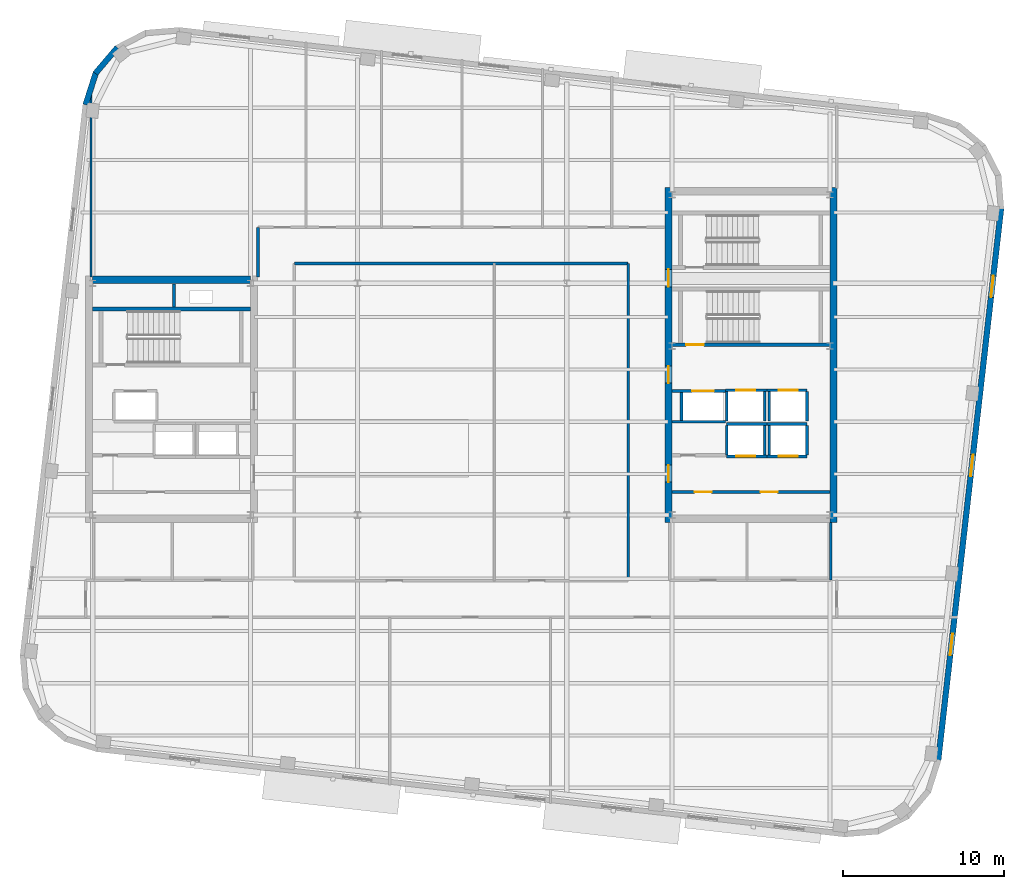
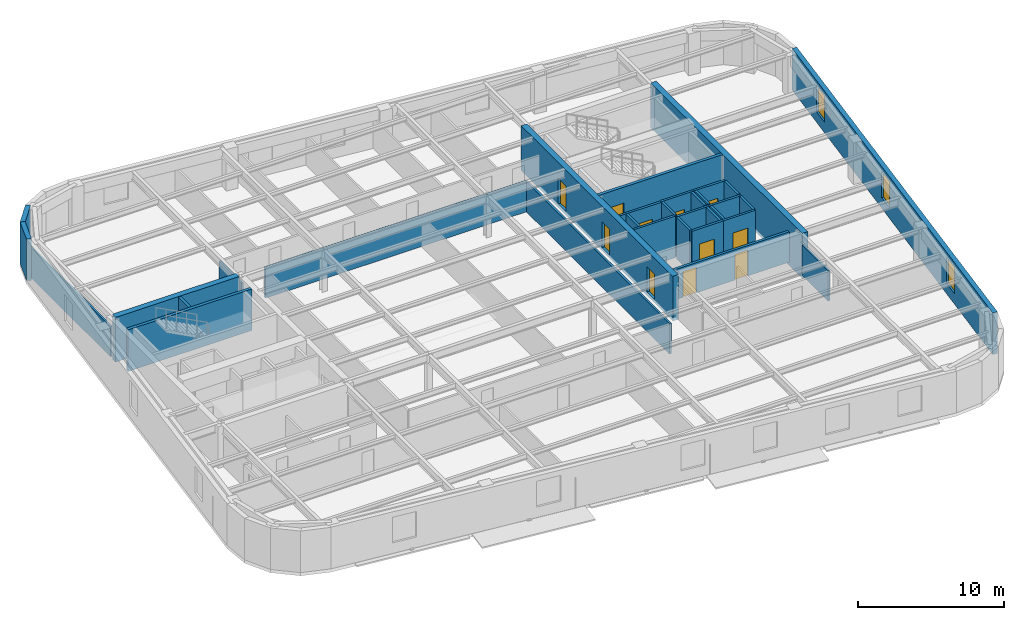
# One storey, part 7 of 13: 32 walls, 11 doors, 3 windows, 14 openings.
"""IFC4 building model written with IfcOpenShell, lengths in metres."""

from ifc_helpers import new_model, si_unit, direction, frame, frame_2d, origin, place, context, subcontext, project, spatial, rectangle, extrude, material, layer, layer_set, type_object, element, fill, save


model = new_model("IFC4")

# Units and contexts
model_context = context("Model", 3, precision=1e-05, world=origin(), true_north=direction((0.0, 1.0)))
body_context = subcontext(model_context, "Body", "Model", "MODEL_VIEW")
ifc_project = project(units=[si_unit("LENGTHUNIT", "METRE"), si_unit("AREAUNIT", "SQUARE_METRE"), si_unit("VOLUMEUNIT", "CUBIC_METRE"), si_unit("PLANEANGLEUNIT", "RADIAN"), si_unit("MASSUNIT", "GRAM", prefix="KILO")], contexts=[model_context])

# Site, building, storey
site_placement = place(None, origin())
site = spatial("IfcSite", under=ifc_project, at=site_placement, CompositionType="ELEMENT")
building_placement = place(site_placement, origin())
building = spatial("IfcBuilding", under=site, at=building_placement, Name="Kolvaren Arena Tower", CompositionType="ELEMENT")
storey_placement = place(building_placement, frame((0.0, 0.0, 239.699951171875)))
storey = spatial("IfcBuildingStorey", under=building, at=storey_placement, Name="L58", CompositionType="ELEMENT", Elevation=239.699951171875)

# Walls
ifc_material_1 = material(Name="Gypsum board acoustic assembly", Category="gypsum")
ifc_layer_1 = layer(ifc_material_1, 0.159912109375)
ifc_layer_set_1 = layer_set([ifc_layer_1], Name="Gypsum board acoustic assembly")
wall_type_1 = type_object("IfcWallType", Name="CORR-160", PredefinedType="PARTITIONING", material=ifc_layer_set_1)
wall_1_placement = place(storey_placement, frame((24.820068359375, 34.25, 0.0), z_axis=(0.0, 0.0, 1.0), x_axis=(0.0, 1.0, 0.0)))
element("IfcWall", 1, at=wall_1_placement, inside=storey, type_object=wall_type_1, Name="Interior Partition Wall (L58)", PredefinedType="PARTITIONING", context=body_context, shape_type="SweptSolid", body=[
    extrude(rectangle(XDim=3.070068359375, YDim=0.159912109375, at=frame_2d((1.53515625, 0.0))), origin(), (0.0, 0.0, 1.0), 2.5400390625),
])
wall_2_placement = place(storey_placement, frame((27.080078125, 35.080078125, 0.0), z_axis=(0.0, 0.0, 1.0), x_axis=(1.0, 0.0, 0.0)))
element("IfcWall", 2, at=wall_2_placement, inside=storey, type_object=wall_type_1, Name="Interior Partition Wall (L58)", PredefinedType="PARTITIONING", context=body_context, shape_type="SweptSolid", body=[
    extrude(rectangle(XDim=20.739990234375, YDim=0.159912109375, at=frame_2d((10.3701171875, 0.0))), origin(), (0.0, 0.0, 1.0), 2.5400390625),
])
wall_3_placement = place(storey_placement, frame((47.820068359375, 15.3798828125, 0.0), z_axis=(0.0, 0.0, 1.0), x_axis=(0.0, 1.0, 0.0)))
element("IfcWall", 3, at=wall_3_placement, inside=storey, type_object=wall_type_1, Name="Interior Partition Wall (L58)", PredefinedType="PARTITIONING", context=body_context, shape_type="SweptSolid", body=[
    extrude(rectangle(XDim=19.7001953125, YDim=0.159912109375, at=frame_2d((9.85009765625, 0.0))), origin(), (0.0, 0.0, 1.0), 2.5400390625),
])
ifc_material_2 = material(Name="Concrete 55 MPa", Category="concrete")
ifc_layer_2 = layer(ifc_material_2, 0.449951171875)
ifc_layer_set_2 = layer_set([ifc_layer_2], Name="Concrete 55 MPa")
wall_type_2 = type_object("IfcWallType", Name="CWALL-450", PredefinedType="SHEAR", material=ifc_layer_set_2)
wall_4_placement = place(storey_placement, frame((14.550048828125, 34.074951171875, -0.27001953125), z_axis=(0.0, 0.0, 1.0), x_axis=(1.0, 0.0, 0.0)))
element("IfcWall", 4, at=wall_4_placement, inside=storey, type_object=wall_type_2, Name="Core Shear Wall WC-NORTH (L58)", PredefinedType="SHEAR", context=body_context, shape_type="SweptSolid", body=[
    extrude(rectangle(XDim=9.800048828125, YDim=0.449951171875, at=frame_2d((4.89990234375, 0.0))), origin(), (0.0, 0.0, 1.0), 3.75),
])

# Wall, openings, doors
wall_5_placement = place(storey_placement, frame((50.324951171875, 19.0, -0.27001953125), z_axis=(0.0, 0.0, 1.0), x_axis=(0.0, 1.0, 0.0)))
wall_5 = element("IfcWall", 5, at=wall_5_placement, inside=storey, type_object=wall_type_2, Name="Core Shear Wall EC-WEST (L58)", PredefinedType="SHEAR", context=body_context, shape_type="SweptSolid", body=[
    extrude(rectangle(XDim=20.800048828125, YDim=0.449951171875, at=frame_2d((10.39990234375, 0.0))), origin(), (0.0, 0.0, 1.0), 3.75),
])
opening_1_placement = place(wall_5_placement, frame((2.5, 0.0, 0.27001953125)))
opening_1 = element("IfcOpeningElement", 6, at=opening_1_placement, cuts=wall_5, Name="Opening D04", PredefinedType="OPENING", context=body_context, shape_type="SweptSolid", body=[
    extrude(rectangle(XDim=1.050048828125, YDim=2.14990234375, at=frame_2d((0.52490234375, 1.074951171875))), frame((0.0, 0.23486328125, 0.0), z_axis=(0.0, -1.0, 0.0), x_axis=(1.0, 0.0, 0.0)), (0.0, 0.0, 1.0), 0.469970703125),
])
opening_2_placement = place(wall_5_placement, frame((8.64990234375, 0.0, 0.27001953125)))
opening_2 = element("IfcOpeningElement", 7, at=opening_2_placement, cuts=wall_5, Name="Opening D04", PredefinedType="OPENING", context=body_context, shape_type="SweptSolid", body=[
    extrude(rectangle(XDim=1.050048828125, YDim=2.14990234375, at=frame_2d((0.52490234375, 1.074951171875))), frame((0.0, 0.23486328125, 0.0), z_axis=(0.0, -1.0, 0.0), x_axis=(1.0, 0.0, 0.0)), (0.0, 0.0, 1.0), 0.469970703125),
])
opening_3_placement = place(wall_5_placement, frame((14.6201171875, 0.0, 0.27001953125)))
opening_3 = element("IfcOpeningElement", 8, at=opening_3_placement, cuts=wall_5, Name="Opening D03", PredefinedType="OPENING", context=body_context, shape_type="SweptSolid", body=[
    extrude(rectangle(XDim=1.10009765625, YDim=2.14990234375, at=frame_2d((0.550048828125, 1.074951171875))), frame((0.0, 0.23486328125, 0.0), z_axis=(0.0, -1.0, 0.0), x_axis=(1.0, 0.0, 0.0)), (0.0, 0.0, 1.0), 0.469970703125),
])
ifc_material_3 = material(Name="Fire-rated steel lobby door", Category="steel")
door_type_1 = type_object("IfcDoorType", Name="DOOR-FF-105", OperationType="NOTDEFINED", PredefinedType="DOOR", material=ifc_material_3)
door_1_placement = place(opening_1_placement, origin())
door_1 = element("IfcDoor", 9, at=door_1_placement, inside=storey, type_object=door_type_1, Name="East Lift Lobby Fire Door (L58)", OperationType="SINGLE_SWING_RIGHT", OverallHeight=2.14990234375, OverallWidth=1.050048828125, PredefinedType="DOOR", context=body_context, shape_type="SweptSolid", body=[
    extrude(rectangle(XDim=1.050048828125, YDim=2.14990234375, at=frame_2d((0.52490234375, 1.074951171875))), frame((0.0, 0.02490234375, 0.0), z_axis=(0.0, -1.0, 0.0), x_axis=(1.0, 0.0, 0.0)), (0.0, 0.0, 1.0), 0.050048828125),
])
fill(opening_1, door_1)
door_2_placement = place(opening_2_placement, origin())
door_2 = element("IfcDoor", 10, at=door_2_placement, inside=storey, type_object=door_type_1, Name="East Firefighter Vestibule Door (L58)", OperationType="SINGLE_SWING_LEFT", OverallHeight=2.14990234375, OverallWidth=1.050048828125, PredefinedType="DOOR", context=body_context, shape_type="SweptSolid", body=[
    extrude(rectangle(XDim=1.050048828125, YDim=2.14990234375, at=frame_2d((0.52490234375, 1.074951171875))), frame((0.0, 0.02490234375, 0.0), z_axis=(0.0, -1.0, 0.0), x_axis=(1.0, 0.0, 0.0)), (0.0, 0.0, 1.0), 0.050048828125),
])
fill(opening_2, door_2)
ifc_material_4 = material(Name="Fire-rated steel exit stair door", Category="steel")
door_type_2 = type_object("IfcDoorType", Name="DOOR-ST-110", OperationType="NOTDEFINED", PredefinedType="DOOR", material=ifc_material_4)
door_3_placement = place(opening_3_placement, origin())
door_3 = element("IfcDoor", 11, at=door_3_placement, inside=storey, type_object=door_type_2, Name="Stair ST-E2 Vestibule Fire Door (L58)", OperationType="SINGLE_SWING_LEFT", OverallHeight=2.14990234375, OverallWidth=1.10009765625, PredefinedType="DOOR", context=body_context, shape_type="SweptSolid", body=[
    extrude(rectangle(XDim=1.10009765625, YDim=2.14990234375, at=frame_2d((0.550048828125, 1.074951171875))), frame((0.0, 0.02490234375, 0.0), z_axis=(0.0, -1.0, 0.0), x_axis=(1.0, 0.0, 0.0)), (0.0, 0.0, 1.0), 0.050048828125),
])
fill(opening_3, door_3)

# Wall
wall_6_placement = place(storey_placement, frame((60.574951171875, 19.0, -0.27001953125), z_axis=(0.0, 0.0, 1.0), x_axis=(0.0, 1.0, 0.0)))
element("IfcWall", 12, at=wall_6_placement, inside=storey, type_object=wall_type_2, Name="Core Shear Wall EC-EAST (L58)", PredefinedType="SHEAR", context=body_context, shape_type="SweptSolid", body=[
    extrude(rectangle(XDim=20.800048828125, YDim=0.449951171875, at=frame_2d((10.39990234375, 0.0))), origin(), (0.0, 0.0, 1.0), 3.75),
])

# Wall, openings, windows
ifc_material_5 = material(Name="Precast concrete C50/60", Category="concrete")
ifc_layer_3 = layer(ifc_material_5, 0.360107421875)
ifc_layer_set_3 = layer_set([ifc_layer_3], Name="Precast concrete C50/60")
wall_type_3 = type_object("IfcWallType", Name="EXT-PIER2", PredefinedType="SOLIDWALL", material=ifc_layer_set_3)
wall_7_placement = place(storey_placement, frame((70.98876953125, 38.499267578125, 0.0), z_axis=(0.0, 0.0, 1.0), x_axis=(-0.113203107947, -0.993571867733, 0.0)))
wall_7 = element("IfcWall", 13, at=wall_7_placement, inside=storey, type_object=wall_type_3, Name="Exterior Precast Masonry-Frame Wall (L58)", PredefinedType="SOLIDWALL", context=body_context, shape_type="SweptSolid", body=[
    extrude(rectangle(XDim=34.5, YDim=0.360107421875, at=frame_2d((17.25, 0.0))), origin(), (0.0, 0.0, 1.0), 3.47998046875),
])
opening_4_placement = place(wall_7_placement, frame((4.199951171875, 0.0, 0.8798828125)))
opening_4 = element("IfcOpeningElement", 14, at=opening_4_placement, cuts=wall_7, Name="Opening W04", PredefinedType="OPENING", context=body_context, shape_type="SweptSolid", body=[
    extrude(rectangle(XDim=1.35009765625, YDim=2.199951171875, at=frame_2d((0.675048828125, 1.10009765625))), frame((0.0, 0.18994140625, 0.0), z_axis=(0.0, -1.0, 0.0), x_axis=(1.0, 0.0, 0.0)), (0.0, 0.0, 1.0), 0.380126953125),
])
opening_5_placement = place(wall_7_placement, frame((15.39990234375, 0.0, 0.8798828125)))
opening_5 = element("IfcOpeningElement", 15, at=opening_5_placement, cuts=wall_7, Name="Opening W04", PredefinedType="OPENING", context=body_context, shape_type="SweptSolid", body=[
    extrude(rectangle(XDim=1.35009765625, YDim=2.199951171875, at=frame_2d((0.675048828125, 1.10009765625))), frame((0.0, 0.18994140625, 0.0), z_axis=(0.0, -1.0, 0.0), x_axis=(1.0, 0.0, 0.0)), (0.0, 0.0, 1.0), 0.380126953125),
])
opening_6_placement = place(wall_7_placement, frame((26.60009765625, 0.0, 0.8798828125)))
opening_6 = element("IfcOpeningElement", 16, at=opening_6_placement, cuts=wall_7, Name="Opening W04", PredefinedType="OPENING", context=body_context, shape_type="SweptSolid", body=[
    extrude(rectangle(XDim=1.35009765625, YDim=2.199951171875, at=frame_2d((0.675048828125, 1.10009765625))), frame((0.0, 0.18994140625, 0.0), z_axis=(0.0, -1.0, 0.0), x_axis=(1.0, 0.0, 0.0)), (0.0, 0.0, 1.0), 0.380126953125),
])
ifc_material_6 = material(Name="Triple-glazed curved-facet corner window", Category="glass")
window_type = type_object("IfcWindowType", Name="WIN-CRN-A", PartitioningType="SINGLE_PANEL", PredefinedType="WINDOW", material=ifc_material_6)
window_1_placement = place(opening_4_placement, origin())
window_1 = element("IfcWindow", 17, at=window_1_placement, inside=storey, type_object=window_type, Name="End-Wall Punched Window (L58)", OverallHeight=2.199951171875, OverallWidth=1.35009765625, PartitioningType="SINGLE_PANEL", PredefinedType="WINDOW", context=body_context, shape_type="SweptSolid", body=[
    extrude(rectangle(XDim=1.35009765625, YDim=2.199951171875, at=frame_2d((0.675048828125, 1.10009765625))), frame((0.0, 0.030029296875, 0.0), z_axis=(0.0, -1.0, 0.0), x_axis=(1.0, 0.0, 0.0)), (0.0, 0.0, 1.0), 0.06005859375),
])
fill(opening_4, window_1)
window_2_placement = place(opening_5_placement, origin())
window_2 = element("IfcWindow", 18, at=window_2_placement, inside=storey, type_object=window_type, Name="End-Wall Punched Window (L58)", OverallHeight=2.199951171875, OverallWidth=1.35009765625, PartitioningType="SINGLE_PANEL", PredefinedType="WINDOW", context=body_context, shape_type="SweptSolid", body=[
    extrude(rectangle(XDim=1.35009765625, YDim=2.199951171875, at=frame_2d((0.675048828125, 1.10009765625))), frame((0.0, 0.030029296875, 0.0), z_axis=(0.0, -1.0, 0.0), x_axis=(1.0, 0.0, 0.0)), (0.0, 0.0, 1.0), 0.06005859375),
])
fill(opening_5, window_2)
window_3_placement = place(opening_6_placement, origin())
window_3 = element("IfcWindow", 19, at=window_3_placement, inside=storey, type_object=window_type, Name="End-Wall Punched Window (L58)", OverallHeight=2.199951171875, OverallWidth=1.35009765625, PartitioningType="SINGLE_PANEL", PredefinedType="WINDOW", context=body_context, shape_type="SweptSolid", body=[
    extrude(rectangle(XDim=1.35009765625, YDim=2.199951171875, at=frame_2d((0.675048828125, 1.10009765625))), frame((0.0, 0.030029296875, 0.0), z_axis=(0.0, -1.0, 0.0), x_axis=(1.0, 0.0, 0.0)), (0.0, 0.0, 1.0), 0.06005859375),
])
fill(opening_6, window_3)

# Walls
wall_8_placement = place(storey_placement, frame((14.717529296875, 46.8896484375, 0.0), z_axis=(0.0, 0.0, 1.0), x_axis=(0.646170743289, 0.763192878975, 0.0)))
element("IfcWall", 20, at=wall_8_placement, inside=storey, type_object=wall_type_3, Name="Exterior Precast Masonry-Frame Wall (L58)", PredefinedType="SOLIDWALL", context=body_context, shape_type="SweptSolid", body=[
    extrude(rectangle(XDim=2.107177734375, YDim=0.360107421875, at=frame_2d((1.0537109375, 0.0))), origin(), (0.0, 0.0, 1.0), 3.47998046875),
])
wall_9_placement = place(storey_placement, frame((14.109375, 44.944580078125, 0.0), z_axis=(0.0, 0.0, 1.0), x_axis=(0.304872429864, 0.952393196904, 0.0)))
element("IfcWall", 21, at=wall_9_placement, inside=storey, type_object=wall_type_3, Name="Exterior Precast Masonry-Frame Wall (L58)", PredefinedType="SOLIDWALL", context=body_context, shape_type="SweptSolid", body=[
    extrude(rectangle(XDim=2.10693359375, YDim=0.360107421875, at=frame_2d((1.053466796875, 0.0))), origin(), (0.0, 0.0, 1.0), 3.47998046875),
])

# Wall, openings, doors
ifc_material_7 = material(Name="Concrete 40 MPa", Category="concrete")
ifc_layer_4 = layer(ifc_material_7, 0.199951171875)
ifc_layer_set_4 = layer_set([ifc_layer_4], Name="Concrete 40 MPa")
wall_type_4 = type_object("IfcWallType", Name="LOBBY-200", PredefinedType="SOLIDWALL", material=ifc_layer_set_4)
wall_10_placement = place(storey_placement, frame((50.550048828125, 20.8798828125, 0.0), z_axis=(0.0, 0.0, 1.0), x_axis=(1.0, 0.0, 0.0)))
wall_10 = element("IfcWall", 22, at=wall_10_placement, inside=storey, type_object=wall_type_4, Name="Core Shaft Wall (L58)", PredefinedType="SOLIDWALL", context=body_context, shape_type="SweptSolid", body=[
    extrude(rectangle(XDim=9.800048828125, YDim=0.199951171875, at=frame_2d((4.89990234375, 0.0))), origin(), (0.0, 0.0, 1.0), 2.5400390625),
])
opening_7_placement = place(wall_10_placement, frame((1.39990234375, 0.0, 0.0)))
opening_7 = element("IfcOpeningElement", 23, at=opening_7_placement, cuts=wall_10, Name="Opening D04", PredefinedType="OPENING", context=body_context, shape_type="SweptSolid", body=[
    extrude(rectangle(XDim=1.050048828125, YDim=2.14990234375, at=frame_2d((0.52490234375, 1.074951171875))), frame((0.0, 0.10986328125, 0.0), z_axis=(0.0, -1.0, 0.0), x_axis=(1.0, 0.0, 0.0)), (0.0, 0.0, 1.0), 0.219970703125),
])
opening_8_placement = place(wall_10_placement, frame((5.5, 0.0, 0.0)))
opening_8 = element("IfcOpeningElement", 24, at=opening_8_placement, cuts=wall_10, Name="Opening D04", PredefinedType="OPENING", context=body_context, shape_type="SweptSolid", body=[
    extrude(rectangle(XDim=1.050048828125, YDim=2.14990234375, at=frame_2d((0.52490234375, 1.074951171875))), frame((0.0, 0.10986328125, 0.0), z_axis=(0.0, -1.0, 0.0), x_axis=(1.0, 0.0, 0.0)), (0.0, 0.0, 1.0), 0.219970703125),
])
door_4_placement = place(opening_7_placement, origin())
door_4 = element("IfcDoor", 25, at=door_4_placement, inside=storey, type_object=door_type_1, Name="East Telecom Room Fire Door (L58)", OperationType="SINGLE_SWING_RIGHT", OverallHeight=2.14990234375, OverallWidth=1.050048828125, PredefinedType="DOOR", context=body_context, shape_type="SweptSolid", body=[
    extrude(rectangle(XDim=1.050048828125, YDim=2.14990234375, at=frame_2d((0.52490234375, 1.074951171875))), frame((0.0, 0.02490234375, 0.0), z_axis=(0.0, -1.0, 0.0), x_axis=(1.0, 0.0, 0.0)), (0.0, 0.0, 1.0), 0.050048828125),
])
fill(opening_7, door_4)
door_5_placement = place(opening_8_placement, origin())
door_5 = element("IfcDoor", 26, at=door_5_placement, inside=storey, type_object=door_type_1, Name="East Records Room Fire Door (L58)", OperationType="SINGLE_SWING_LEFT", OverallHeight=2.14990234375, OverallWidth=1.050048828125, PredefinedType="DOOR", context=body_context, shape_type="SweptSolid", body=[
    extrude(rectangle(XDim=1.050048828125, YDim=2.14990234375, at=frame_2d((0.52490234375, 1.074951171875))), frame((0.0, 0.02490234375, 0.0), z_axis=(0.0, -1.0, 0.0), x_axis=(1.0, 0.0, 0.0)), (0.0, 0.0, 1.0), 0.050048828125),
])
fill(opening_8, door_5)

# Walls
ifc_material_8 = material(Name="Gypsum board partition assembly", Category="gypsum")
ifc_layer_5 = layer(ifc_material_8, 0.135009765625)
ifc_layer_set_5 = layer_set([ifc_layer_5], Name="Gypsum board partition assembly")
wall_type_5 = type_object("IfcWallType", Name="PART-135", PredefinedType="PARTITIONING", material=ifc_layer_set_5)
wall_11_placement = place(storey_placement, frame((14.449951171875, 34.25, 0.0), z_axis=(0.0, 0.0, 1.0), x_axis=(0.0, 1.0, 0.0)))
element("IfcWall", 27, at=wall_11_placement, inside=storey, type_object=wall_type_5, Name="Interior Partition Wall (L58)", PredefinedType="PARTITIONING", context=body_context, shape_type="SweptSolid", body=[
    extrude(rectangle(XDim=11.56201171875, YDim=0.135009765625, at=frame_2d((5.781005859375, 0.0))), origin(), (0.0, 0.0, 1.0), 2.5400390625),
])
ifc_material_9 = material(Name="Concrete 45 MPa", Category="concrete")
ifc_layer_6 = layer(ifc_material_9, 0.25)
ifc_layer_set_6 = layer_set([ifc_layer_6], Name="Concrete 45 MPa")
wall_type_6 = type_object("IfcWallType", Name="SHAFT-250", PredefinedType="SOLIDWALL", material=ifc_layer_set_6)
wall_12_placement = place(storey_placement, frame((14.550048828125, 32.25, 0.0), z_axis=(0.0, 0.0, 1.0), x_axis=(1.0, 0.0, 0.0)))
element("IfcWall", 28, at=wall_12_placement, inside=storey, type_object=wall_type_6, Name="Core Shaft Wall (L58)", PredefinedType="SOLIDWALL", context=body_context, shape_type="SweptSolid", body=[
    extrude(rectangle(XDim=9.800048828125, YDim=0.239990234375, at=frame_2d((4.89990234375, 0.0))), origin(), (0.0, 0.0, 1.0), 3.47998046875),
])

# Wall, opening, door
wall_13_placement = place(storey_placement, frame((60.35009765625, 30.030029296875, 0.0), z_axis=(0.0, 0.0, 1.0), x_axis=(-1.0, 0.0, 0.0)))
wall_13 = element("IfcWall", 29, at=wall_13_placement, inside=storey, type_object=wall_type_6, Name="Core Shaft Wall (L58)", PredefinedType="SOLIDWALL", context=body_context, shape_type="SweptSolid", body=[
    extrude(rectangle(XDim=9.800048828125, YDim=0.239990234375, at=frame_2d((4.89990234375, 0.0))), origin(), (0.0, 0.0, 1.0), 3.47998046875),
])
opening_9_placement = place(wall_13_placement, frame((7.830078125, 0.0, 0.0)))
opening_9 = element("IfcOpeningElement", 30, at=opening_9_placement, cuts=wall_13, Name="Opening D03", PredefinedType="OPENING", context=body_context, shape_type="SweptSolid", body=[
    extrude(rectangle(XDim=1.10009765625, YDim=2.14990234375, at=frame_2d((0.550048828125, 1.074951171875))), frame((0.0, 0.1298828125, 0.0), z_axis=(0.0, -1.0, 0.0), x_axis=(1.0, 0.0, 0.0)), (0.0, 0.0, 1.0), 0.260009765625),
])
door_6_placement = place(opening_9_placement, origin())
door_6 = element("IfcDoor", 31, at=door_6_placement, inside=storey, type_object=door_type_2, Name="Stair ST-E1 Fire Door (L58)", OperationType="SINGLE_SWING_LEFT", OverallHeight=2.14990234375, OverallWidth=1.10009765625, PredefinedType="DOOR", context=body_context, shape_type="SweptSolid", body=[
    extrude(rectangle(XDim=1.10009765625, YDim=2.14990234375, at=frame_2d((0.550048828125, 1.074951171875))), frame((0.0, 0.02490234375, 0.0), z_axis=(0.0, -1.0, 0.0), x_axis=(1.0, 0.0, 0.0)), (0.0, 0.0, 1.0), 0.050048828125),
])
fill(opening_9, door_6)

# Walls
wall_14_placement = place(storey_placement, frame((19.60009765625, 32.3701171875, 0.0), z_axis=(0.0, 0.0, 1.0), x_axis=(0.0, 1.0, 0.0)))
element("IfcWall", 32, at=wall_14_placement, inside=storey, type_object=wall_type_6, Name="Core Shaft Wall (L58)", PredefinedType="SOLIDWALL", context=body_context, shape_type="SweptSolid", body=[
    extrude(rectangle(XDim=1.429931640625, YDim=0.199951171875, at=frame_2d((0.71484375, 0.0))), origin(), (0.0, 0.0, 1.0), 3.47998046875),
])
wall_15_placement = place(storey_placement, frame((53.93994140625, 25.10498046875, 0.0), z_axis=(0.0, 0.0, 1.0), x_axis=(1.0, 0.0, 0.0)))
element("IfcWall", 33, at=wall_15_placement, inside=storey, type_object=wall_type_6, Name="Core Shaft Wall (L58)", PredefinedType="SOLIDWALL", context=body_context, shape_type="SweptSolid", body=[
    extrude(rectangle(XDim=2.5, YDim=0.179931640625, at=frame_2d((1.25, 0.0))), origin(), (0.0, 0.0, 1.0), 3.47998046875),
])

# Wall, opening, door
wall_16_placement = place(storey_placement, frame((53.93994140625, 23.094970703125, 0.0), z_axis=(0.0, 0.0, 1.0), x_axis=(1.0, 0.0, 0.0)))
wall_16 = element("IfcWall", 34, at=wall_16_placement, inside=storey, type_object=wall_type_6, Name="Core Shaft Wall (L58)", PredefinedType="SOLIDWALL", context=body_context, shape_type="SweptSolid", body=[
    extrude(rectangle(XDim=2.5, YDim=0.179931640625, at=frame_2d((1.25, 0.0))), origin(), (0.0, 0.0, 1.0), 3.47998046875),
])
opening_10_placement = place(wall_16_placement, frame((0.580078125, 0.0, 0.0)))
opening_10 = element("IfcOpeningElement", 35, at=opening_10_placement, cuts=wall_16, Name="Opening LD1", PredefinedType="OPENING", context=body_context, shape_type="SweptSolid", body=[
    extrude(rectangle(XDim=1.199951171875, YDim=2.199951171875, at=frame_2d((0.60009765625, 1.10009765625))), frame((0.0, 0.099853515625, 0.0), z_axis=(0.0, -1.0, 0.0), x_axis=(1.0, 0.0, 0.0)), (0.0, 0.0, 1.0), 0.199951171875),
])
ifc_material_10 = material(Name="Stainless steel passenger lift landing door", Category="steel")
door_type_3 = type_object("IfcDoorType", Name="DOOR-LD-120", OperationType="DOUBLE_DOOR_SLIDING", PredefinedType="DOOR", material=ifc_material_10)
door_7_placement = place(opening_10_placement, origin())
door_7 = element("IfcDoor", 36, at=door_7_placement, inside=storey, type_object=door_type_3, Name="Lift EL-HR1 Landing Door (L58)", OperationType="DOUBLE_DOOR_SLIDING", OverallHeight=2.199951171875, OverallWidth=1.199951171875, PredefinedType="DOOR", context=body_context, shape_type="SweptSolid", body=[
    extrude(rectangle(XDim=1.199951171875, YDim=2.199951171875, at=frame_2d((0.60009765625, 1.10009765625))), frame((0.0, 0.02490234375, 0.0), z_axis=(0.0, -1.0, 0.0), x_axis=(1.0, 0.0, 0.0)), (0.0, 0.0, 1.0), 0.050048828125),
])
fill(opening_10, door_7)

# Walls
for number, where, z_axis, x_axis, name in (
    (37, (53.93994140625, 23.18505859375, 0.0), (0.0, 0.0, 1.0), (0.0, 1.0, 0.0), "Core Shaft Wall (L58)"),
    (38, (56.300048828125, 23.18505859375, 0.0), (0.0, 0.0, 1.0), (0.0, 1.0, 0.0), "Core Shaft Wall (L58)"),
):
    element("IfcWall", number, at=place(storey_placement, frame(where, z_axis=z_axis, x_axis=x_axis)), inside=storey, type_object=wall_type_6, Name=name, PredefinedType="SOLIDWALL", context=body_context, shape_type="SweptSolid", body=[
        extrude(rectangle(XDim=1.829833984375, YDim=0.179931640625, at=frame_2d((0.9150390625, 0.0))), origin(), (0.0, 0.0, 1.0), 3.47998046875),
    ])
wall_17_placement = place(storey_placement, frame((56.43994140625, 25.10498046875, 0.0), z_axis=(0.0, 0.0, 1.0), x_axis=(1.0, 0.0, 0.0)))
element("IfcWall", 39, at=wall_17_placement, inside=storey, type_object=wall_type_6, Name="Core Shaft Wall (L58)", PredefinedType="SOLIDWALL", context=body_context, shape_type="SweptSolid", body=[
    extrude(rectangle(XDim=2.5, YDim=0.179931640625, at=frame_2d((1.25, 0.0))), origin(), (0.0, 0.0, 1.0), 3.47998046875),
])

# Wall, opening, door
wall_18_placement = place(storey_placement, frame((56.43994140625, 23.094970703125, 0.0), z_axis=(0.0, 0.0, 1.0), x_axis=(1.0, 0.0, 0.0)))
wall_18 = element("IfcWall", 40, at=wall_18_placement, inside=storey, type_object=wall_type_6, Name="Core Shaft Wall (L58)", PredefinedType="SOLIDWALL", context=body_context, shape_type="SweptSolid", body=[
    extrude(rectangle(XDim=2.5, YDim=0.179931640625, at=frame_2d((1.25, 0.0))), origin(), (0.0, 0.0, 1.0), 3.47998046875),
])
opening_11_placement = place(wall_18_placement, frame((0.719970703125, 0.0, 0.0)))
opening_11 = element("IfcOpeningElement", 41, at=opening_11_placement, cuts=wall_18, Name="Opening LD1", PredefinedType="OPENING", context=body_context, shape_type="SweptSolid", body=[
    extrude(rectangle(XDim=1.199951171875, YDim=2.199951171875, at=frame_2d((0.60009765625, 1.10009765625))), frame((0.0, 0.099853515625, 0.0), z_axis=(0.0, -1.0, 0.0), x_axis=(1.0, 0.0, 0.0)), (0.0, 0.0, 1.0), 0.199951171875),
])
door_8_placement = place(opening_11_placement, origin())
door_8 = element("IfcDoor", 42, at=door_8_placement, inside=storey, type_object=door_type_3, Name="Lift EL-HR2 Landing Door (L58)", OperationType="DOUBLE_DOOR_SLIDING", OverallHeight=2.199951171875, OverallWidth=1.199951171875, PredefinedType="DOOR", context=body_context, shape_type="SweptSolid", body=[
    extrude(rectangle(XDim=1.199951171875, YDim=2.199951171875, at=frame_2d((0.60009765625, 1.10009765625))), frame((0.0, 0.02490234375, 0.0), z_axis=(0.0, -1.0, 0.0), x_axis=(1.0, 0.0, 0.0)), (0.0, 0.0, 1.0), 0.050048828125),
])
fill(opening_11, door_8)

# Walls
for number, where, z_axis, x_axis, name in (
    (43, (56.580078125, 23.18505859375, 0.0), (0.0, 0.0, 1.0), (0.0, 1.0, 0.0), "Core Shaft Wall (L58)"),
    (44, (58.93994140625, 23.18505859375, 0.0), (0.0, 0.0, 1.0), (0.0, 1.0, 0.0), "Core Shaft Wall (L58)"),
):
    element("IfcWall", number, at=place(storey_placement, frame(where, z_axis=z_axis, x_axis=x_axis)), inside=storey, type_object=wall_type_6, Name=name, PredefinedType="SOLIDWALL", context=body_context, shape_type="SweptSolid", body=[
        extrude(rectangle(XDim=1.829833984375, YDim=0.179931640625, at=frame_2d((0.9150390625, 0.0))), origin(), (0.0, 0.0, 1.0), 3.47998046875),
    ])

# Wall, opening, door
wall_19_placement = place(storey_placement, frame((53.864990234375, 27.205078125, 0.0), z_axis=(0.0, 0.0, 1.0), x_axis=(1.0, 0.0, 0.0)))
wall_19 = element("IfcWall", 45, at=wall_19_placement, inside=storey, type_object=wall_type_6, Name="Core Shaft Wall (L58)", PredefinedType="SOLIDWALL", context=body_context, shape_type="SweptSolid", body=[
    extrude(rectangle(XDim=2.574951171875, YDim=0.179931640625, at=frame_2d((1.28759765625, 0.0))), origin(), (0.0, 0.0, 1.0), 3.47998046875),
])
opening_12_placement = place(wall_19_placement, frame((0.655029296875, 0.0, 0.0)))
opening_12 = element("IfcOpeningElement", 46, at=opening_12_placement, cuts=wall_19, Name="Opening LD1", PredefinedType="OPENING", context=body_context, shape_type="SweptSolid", body=[
    extrude(rectangle(XDim=1.199951171875, YDim=2.199951171875, at=frame_2d((0.60009765625, 1.10009765625))), frame((0.0, 0.099853515625, 0.0), z_axis=(0.0, -1.0, 0.0), x_axis=(1.0, 0.0, 0.0)), (0.0, 0.0, 1.0), 0.199951171875),
])
door_9_placement = place(opening_12_placement, origin())
door_9 = element("IfcDoor", 47, at=door_9_placement, inside=storey, type_object=door_type_3, Name="Lift EL-HR3 Landing Door (L58)", OperationType="DOUBLE_DOOR_SLIDING", OverallHeight=2.199951171875, OverallWidth=1.199951171875, PredefinedType="DOOR", context=body_context, shape_type="SweptSolid", body=[
    extrude(rectangle(XDim=1.199951171875, YDim=2.199951171875, at=frame_2d((0.60009765625, 1.10009765625))), frame((0.0, 0.02490234375, 0.0), z_axis=(0.0, -1.0, 0.0), x_axis=(1.0, 0.0, 0.0)), (0.0, 0.0, 1.0), 0.050048828125),
])
fill(opening_12, door_9)

# Walls
for number, where, z_axis, x_axis, name in (
    (48, (53.93994140625, 25.284912109375, 0.0), (0.0, 0.0, 1.0), (0.0, 1.0, 0.0), "Core Shaft Wall (L58)"),
    (49, (56.300048828125, 25.284912109375, 0.0), (0.0, 0.0, 1.0), (0.0, 1.0, 0.0), "Core Shaft Wall (L58)"),
):
    element("IfcWall", number, at=place(storey_placement, frame(where, z_axis=z_axis, x_axis=x_axis)), inside=storey, type_object=wall_type_6, Name=name, PredefinedType="SOLIDWALL", context=body_context, shape_type="SweptSolid", body=[
        extrude(rectangle(XDim=1.830078125, YDim=0.179931640625, at=frame_2d((0.9150390625, 0.0))), origin(), (0.0, 0.0, 1.0), 3.47998046875),
    ])

# Wall, opening, door
wall_20_placement = place(storey_placement, frame((56.43994140625, 27.205078125, 0.0), z_axis=(0.0, 0.0, 1.0), x_axis=(1.0, 0.0, 0.0)))
wall_20 = element("IfcWall", 50, at=wall_20_placement, inside=storey, type_object=wall_type_6, Name="Core Shaft Wall (L58)", PredefinedType="SOLIDWALL", context=body_context, shape_type="SweptSolid", body=[
    extrude(rectangle(XDim=2.5, YDim=0.179931640625, at=frame_2d((1.25, 0.0))), origin(), (0.0, 0.0, 1.0), 3.47998046875),
])
opening_13_placement = place(wall_20_placement, frame((0.719970703125, 0.0, 0.0)))
opening_13 = element("IfcOpeningElement", 51, at=opening_13_placement, cuts=wall_20, Name="Opening LD1", PredefinedType="OPENING", context=body_context, shape_type="SweptSolid", body=[
    extrude(rectangle(XDim=1.199951171875, YDim=2.199951171875, at=frame_2d((0.60009765625, 1.10009765625))), frame((0.0, 0.099853515625, 0.0), z_axis=(0.0, -1.0, 0.0), x_axis=(1.0, 0.0, 0.0)), (0.0, 0.0, 1.0), 0.199951171875),
])
door_10_placement = place(opening_13_placement, origin())
door_10 = element("IfcDoor", 52, at=door_10_placement, inside=storey, type_object=door_type_3, Name="Lift EL-HR4 Landing Door (L58)", OperationType="DOUBLE_DOOR_SLIDING", OverallHeight=2.199951171875, OverallWidth=1.199951171875, PredefinedType="DOOR", context=body_context, shape_type="SweptSolid", body=[
    extrude(rectangle(XDim=1.199951171875, YDim=2.199951171875, at=frame_2d((0.60009765625, 1.10009765625))), frame((0.0, 0.02490234375, 0.0), z_axis=(0.0, -1.0, 0.0), x_axis=(1.0, 0.0, 0.0)), (0.0, 0.0, 1.0), 0.050048828125),
])
fill(opening_13, door_10)

# Walls
for number, where, z_axis, x_axis, name in (
    (53, (56.580078125, 25.284912109375, 0.0), (0.0, 0.0, 1.0), (0.0, 1.0, 0.0), "Core Shaft Wall (L58)"),
    (54, (58.93994140625, 25.284912109375, 0.0), (0.0, 0.0, 1.0), (0.0, 1.0, 0.0), "Core Shaft Wall (L58)"),
):
    element("IfcWall", number, at=place(storey_placement, frame(where, z_axis=z_axis, x_axis=x_axis)), inside=storey, type_object=wall_type_6, Name=name, PredefinedType="SOLIDWALL", context=body_context, shape_type="SweptSolid", body=[
        extrude(rectangle(XDim=1.830078125, YDim=0.179931640625, at=frame_2d((0.9150390625, 0.0))), origin(), (0.0, 0.0, 1.0), 3.47998046875),
    ])

# Wall, opening, door
wall_21_placement = place(storey_placement, frame((50.550048828125, 27.155029296875, 0.0), z_axis=(0.0, 0.0, 1.0), x_axis=(1.0, 0.0, 0.0)))
wall_21 = element("IfcWall", 55, at=wall_21_placement, inside=storey, type_object=wall_type_6, Name="Core Shaft Wall (L58)", PredefinedType="SOLIDWALL", context=body_context, shape_type="SweptSolid", body=[
    extrude(rectangle(XDim=3.31494140625, YDim=0.179931640625, at=frame_2d((1.657470703125, 0.0))), origin(), (0.0, 0.0, 1.0), 3.47998046875),
])
opening_14_placement = place(wall_21_placement, frame((1.235107421875, 0.0, 0.0)))
opening_14 = element("IfcOpeningElement", 56, at=opening_14_placement, cuts=wall_21, Name="Opening LD2", PredefinedType="OPENING", context=body_context, shape_type="SweptSolid", body=[
    extrude(rectangle(XDim=1.35009765625, YDim=2.300048828125, at=frame_2d((0.675048828125, 1.14990234375))), frame((0.0, 0.099853515625, 0.0), z_axis=(0.0, -1.0, 0.0), x_axis=(1.0, 0.0, 0.0)), (0.0, 0.0, 1.0), 0.199951171875),
])
ifc_material_11 = material(Name="Stainless steel firefighter lift landing door", Category="steel")
door_type_4 = type_object("IfcDoorType", Name="DOOR-LD-135", OperationType="DOUBLE_DOOR_SLIDING", PredefinedType="DOOR", material=ifc_material_11)
door_11_placement = place(opening_14_placement, origin())
door_11 = element("IfcDoor", 57, at=door_11_placement, inside=storey, type_object=door_type_4, Name="Firefighter Lift FF-E1 Landing Door (L58)", OperationType="DOUBLE_DOOR_SLIDING", OverallHeight=2.300048828125, OverallWidth=1.35009765625, PredefinedType="DOOR", context=body_context, shape_type="SweptSolid", body=[
    extrude(rectangle(XDim=1.35009765625, YDim=2.300048828125, at=frame_2d((0.675048828125, 1.14990234375))), frame((0.0, 0.02490234375, 0.0), z_axis=(0.0, -1.0, 0.0), x_axis=(1.0, 0.0, 0.0)), (0.0, 0.0, 1.0), 0.050048828125),
])
fill(opening_14, door_11)

# Walls
wall_22_placement = place(storey_placement, frame((50.550048828125, 25.2451171875, 0.0), z_axis=(0.0, 0.0, 1.0), x_axis=(1.0, 0.0, 0.0)))
element("IfcWall", 58, at=wall_22_placement, inside=storey, type_object=wall_type_6, Name="Core Shaft Wall (L58)", PredefinedType="SOLIDWALL", context=body_context, shape_type="SweptSolid", body=[
    extrude(rectangle(XDim=3.31494140625, YDim=0.179931640625, at=frame_2d((1.657470703125, 0.0))), origin(), (0.0, 0.0, 1.0), 3.47998046875),
])
wall_23_placement = place(storey_placement, frame((51.1298828125, 25.3349609375, 0.0), z_axis=(0.0, 0.0, 1.0), x_axis=(0.0, 1.0, 0.0)))
element("IfcWall", 59, at=wall_23_placement, inside=storey, type_object=wall_type_6, Name="Core Shaft Wall (L58)", PredefinedType="SOLIDWALL", context=body_context, shape_type="SweptSolid", body=[
    extrude(rectangle(XDim=1.72998046875, YDim=0.179931640625, at=frame_2d((0.864990234375, 0.0))), origin(), (0.0, 0.0, 1.0), 3.47998046875),
])
ifc_material_12 = material(Name="Moisture-resistant gypsum assembly", Category="gypsum")
ifc_layer_7 = layer(ifc_material_12, 0.14990234375)
ifc_layer_set_7 = layer_set([ifc_layer_7], Name="Moisture-resistant gypsum assembly")
wall_type_7 = type_object("IfcWallType", Name="WETW-150", PredefinedType="PARTITIONING", material=ifc_layer_set_7)
wall_24_placement = place(storey_placement, frame((60.39990234375, 15.39990234375, 0.0), z_axis=(0.0, 0.0, 1.0), x_axis=(0.0, 1.0, 0.0)))
element("IfcWall", 60, at=wall_24_placement, inside=storey, type_object=wall_type_7, Name="Interior Partition Wall (L58)", PredefinedType="PARTITIONING", context=body_context, shape_type="SweptSolid", body=[
    extrude(rectangle(XDim=3.580078125, YDim=0.14990234375, at=frame_2d((1.7900390625, 0.0))), origin(), (0.0, 0.0, 1.0), 2.5400390625),
])

save(model, "model.ifc")
